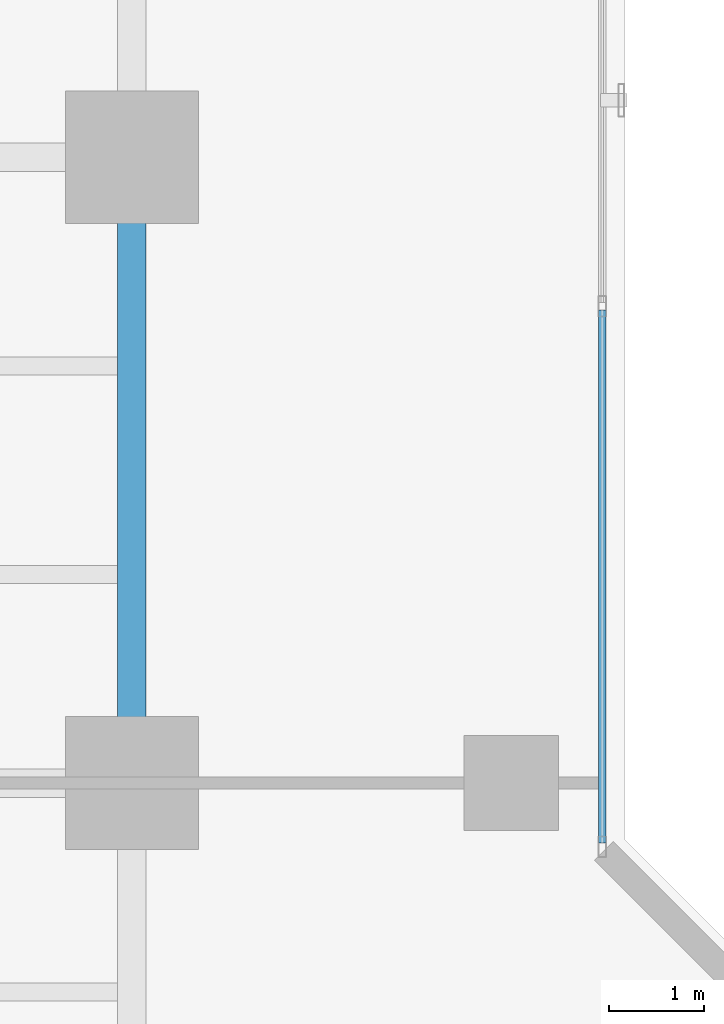
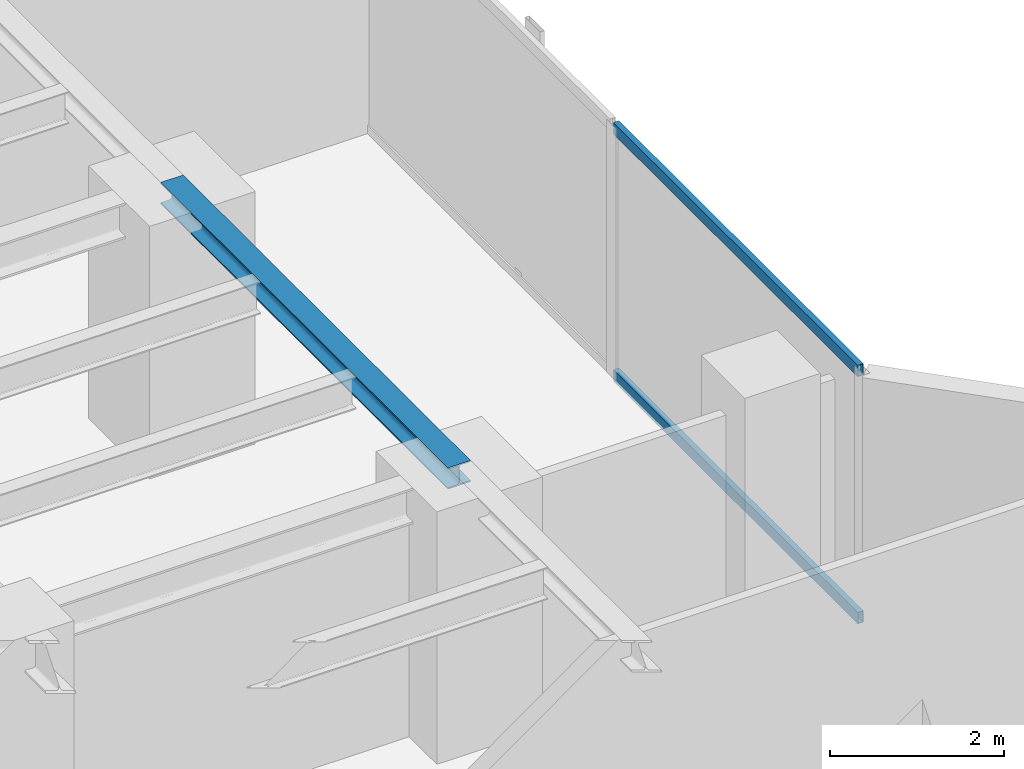
# One storey, part 10 of 28: 2 members, 1 beam, 1 element without a shape of its own.
"""IFC4 building model written with IfcOpenShell, lengths in metres."""

from ifc_helpers import new_model, si_unit, direction, frame, origin, origin_with_axes, origin_2d, place, context, subcontext, project, spatial, hollow_rectangle, i_section, extrude, source, transform, mapped, material, layer, layer_set, material_profile, profile_set, type_object, element, aggregate, save


model = new_model("IFC4")

# Units and contexts
model_context = context("Model", 3, precision=1e-05, world=origin(), true_north=direction((0.0, 1.0)))
body_context = subcontext(model_context, "Body", "Model", "MODEL_VIEW")
ifc_project = project(units=[si_unit("LENGTHUNIT", "METRE"), si_unit("AREAUNIT", "SQUARE_METRE"), si_unit("VOLUMEUNIT", "CUBIC_METRE"), si_unit("PLANEANGLEUNIT", "RADIAN"), si_unit("MASSUNIT", "GRAM", prefix="KILO")], contexts=[model_context])

# Site, building, storey
site_placement = place(None, origin())
site = spatial("IfcSite", under=ifc_project, at=site_placement, CompositionType="ELEMENT")
building_placement = place(site_placement, origin())
building = spatial("IfcBuilding", under=site, at=building_placement, Name="Kolvaren Waterfront Exchange", CompositionType="ELEMENT")
storey_placement = place(building_placement, frame((0.0, 0.0, 103.10009765625)))
storey = spatial("IfcBuildingStorey", under=building, at=storey_placement, Name="L26", CompositionType="ELEMENT", Elevation=103.10009765625)

# Beam
ifc_material_1 = material(Name="Steel S355", Category="steel")
ifc_material_profile_1 = material_profile(ifc_material_1, i_section(OverallWidth=0.300048828125, OverallDepth=0.300048828125, WebThickness=0.010986328125, FlangeThickness=0.01904296875, FilletRadius=0.027099609375, at=origin_2d()), Name="HEB300")
ifc_profile_set_1 = profile_set([ifc_material_profile_1], Name="Steel S355")
beam_type = type_object("IfcBeamType", Name="STR-BM-HEB300", PredefinedType="SPANDREL", material=ifc_profile_set_1)
beam_placement = place(storey_placement, frame((18.800048828125, 31.199951171875, 3.389892578125), z_axis=(0.0, 1.0, 0.0), x_axis=(-1.0, 0.0, 0.0)))
element("IfcBeam", 1, at=beam_placement, inside=storey, type_object=beam_type, Name="L26 north-arm edge beam 2", PredefinedType="SPANDREL", context=body_context, shape_type="SweptSolid", body=[
    extrude(i_section(OverallWidth=0.300048828125, OverallDepth=0.300048828125, WebThickness=0.010986328125, FlangeThickness=0.01904296875, FilletRadius=0.027099609375, at=origin_2d()), origin(), (0.0, 0.0, 1.0), 6.60009765625),
])

# Curtain wall, members
ifc_material_2 = material(Name="Anodised bronze aluminium 6063-T6", Category="aluminium")
ifc_layer = layer(ifc_material_2, 0.219970703125, Name="Anodised bronze aluminium 6063-T6")
ifc_layer_set = layer_set([ifc_layer], Name="Anodised bronze aluminium 6063-T6")
curtain_wall_type = type_object("IfcCurtainWallType", Name="ARC-CW-SYS1", PredefinedType="USERDEFINED", material=ifc_layer_set)
curtain_wall_placement = place(storey_placement, origin())
curtain_wall = element("IfcCurtainWall", 2, at=curtain_wall_placement, inside=storey, type_object=curtain_wall_type, Name="L26 stick curtain wall CW1 (CW-L26-NE)", ObjectType="STICK CURTAIN WALL", PredefinedType="USERDEFINED")
ifc_material_3 = material(Name="Anodised aluminium 6063-T6", Category="aluminium")
ifc_material_profile_2 = material_profile(ifc_material_3, hollow_rectangle(XDim=0.074951171875, YDim=0.159912109375, WallThickness=0.00439453125, at=origin_2d()), Name="ALU-TRN-160x75x4.5")
ifc_profile_set_2 = profile_set([ifc_material_profile_2], Name="Anodised aluminium 6063-T6")
member_type = type_object("IfcMemberType", Name="ARC-CWT-160", PredefinedType="USERDEFINED", material=ifc_profile_set_2)
shared_shape = source(origin_with_axes(), body_context, "Body", "SweptSolid", [
    extrude(hollow_rectangle(XDim=0.074951171875, YDim=0.159912109375, WallThickness=0.00439453125, at=origin_2d()), origin(), (0.0, 0.0, 1.0), 5.61669921875),
])
member_1_placement = place(storey_placement, frame((23.760009765625, 30.570068359375, 0.037353515625), z_axis=(0.0, 1.0, 0.0), x_axis=(-1.0, 0.0, 0.0)))
member_1 = element("IfcMember", 3, at=member_1_placement, type_object=member_type, Name="CW1 transom 1.1", ObjectType="TRANSOM", PredefinedType="USERDEFINED", context=body_context, shape_type="MappedRepresentation", body=[
    mapped(shared_shape, transform((0.0, 0.0, 0.0), x_axis=(1.0, 0.0, 0.0), y_axis=(0.0, 1.0, 0.0), z_axis=(0.0, 0.0, 1.0), scale=1.0)),
])
member_2_placement = place(storey_placement, frame((23.760009765625, 30.570068359375, 3.50244140625), z_axis=(0.0, 1.0, 0.0), x_axis=(-1.0, 0.0, 0.0)))
member_2 = element("IfcMember", 4, at=member_2_placement, type_object=member_type, Name="CW1 transom 1.2", ObjectType="TRANSOM", PredefinedType="USERDEFINED", context=body_context, shape_type="MappedRepresentation", body=[
    mapped(shared_shape, transform((0.0, 0.0, 0.0), x_axis=(1.0, 0.0, 0.0), y_axis=(0.0, 1.0, 0.0), z_axis=(0.0, 0.0, 1.0), scale=1.0)),
])
aggregate(curtain_wall, [member_1, member_2])

save(model, "model.ifc")
